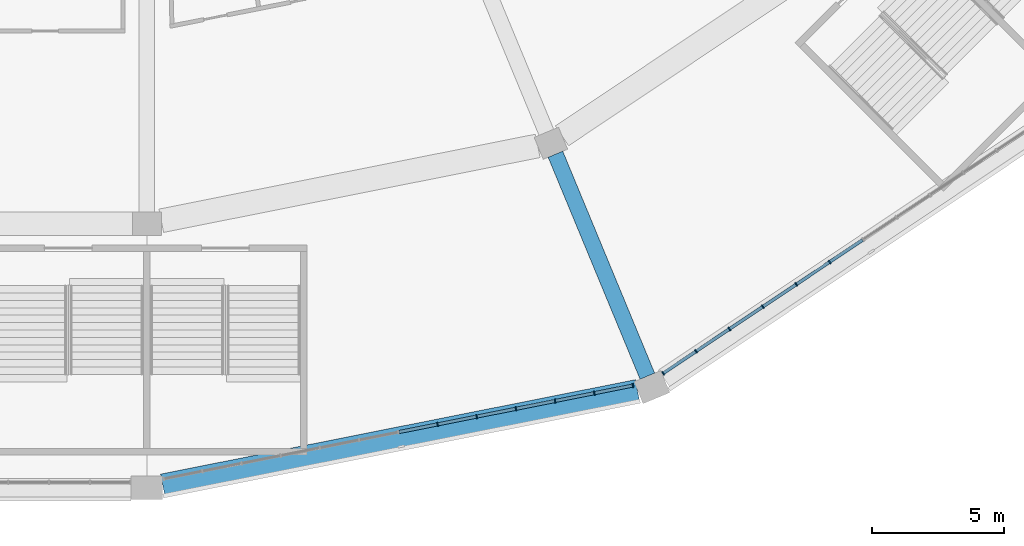
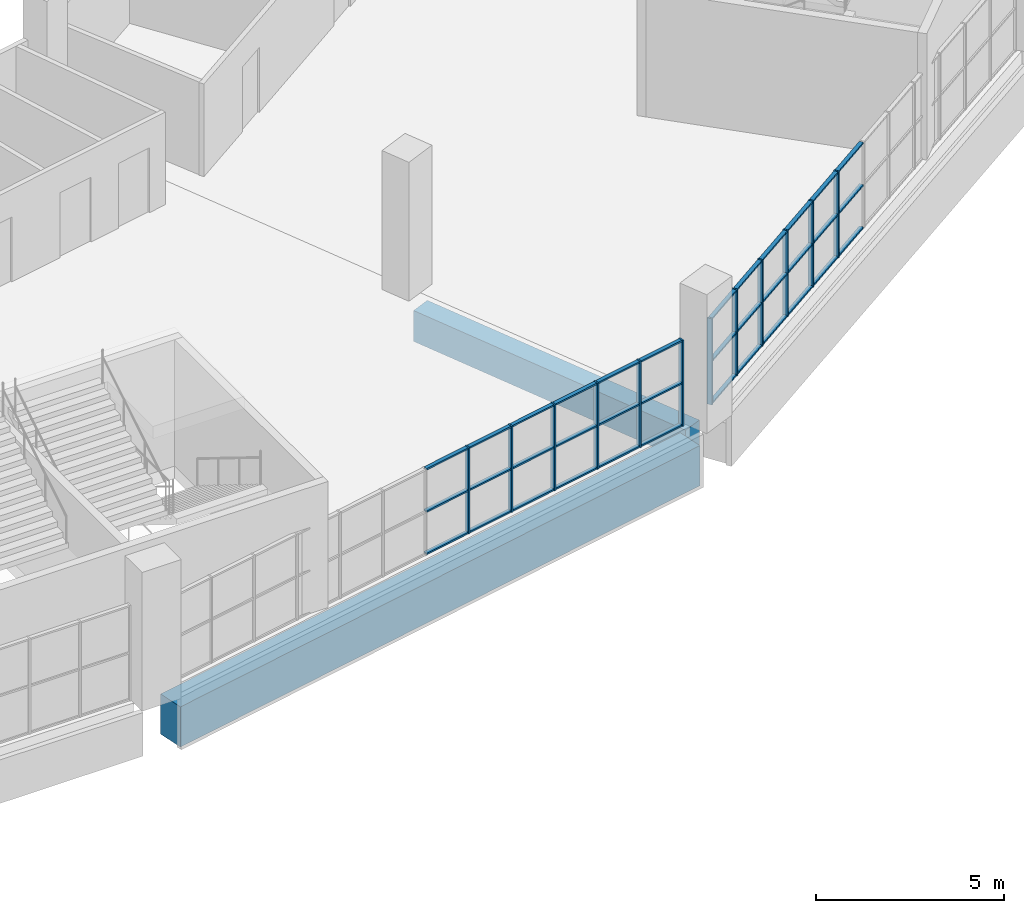
# One storey, part 21 of 199: 48 members, 2 beams, 2 elements without a shape of their own.
"""IFC4 building model written with IfcOpenShell, lengths in metres."""

from ifc_helpers import new_model, si_unit, direction, frame, origin, origin_2d, place, context, subcontext, project, spatial, rectangle, extrude, material, material_profile, profile_set, type_object, element, aggregate, save


model = new_model("IFC4")

# Units and contexts
model_context = context("Model", 3, precision=1e-05, world=origin(), true_north=direction((0.0, 1.0)))
body_context = subcontext(model_context, "Body", "Model", "MODEL_VIEW")
ifc_project = project(units=[si_unit("LENGTHUNIT", "METRE"), si_unit("AREAUNIT", "SQUARE_METRE"), si_unit("VOLUMEUNIT", "CUBIC_METRE"), si_unit("PLANEANGLEUNIT", "RADIAN"), si_unit("MASSUNIT", "GRAM", prefix="KILO")], contexts=[model_context])

# Site, building, storey
site_placement = place(None, origin())
site = spatial("IfcSite", under=ifc_project, at=site_placement, CompositionType="ELEMENT")
building_placement = place(site_placement, origin())
building = spatial("IfcBuilding", under=site, at=building_placement, Name="Ogive Plaza Stadium", CompositionType="ELEMENT")
storey_placement = place(building_placement, frame((0.0, 0.0, 9.0)))
storey = spatial("IfcBuildingStorey", under=building, at=storey_placement, Name="L02", CompositionType="ELEMENT", Elevation=9.0)

# Curtain wall, members
ifc_material_1 = material(Name="Bronze-anodised aluminium with laminated glass", Category="aluminium")
curtain_wall_type = type_object("IfcCurtainWallType", Name="Lancet curtain wall", PredefinedType="NOTDEFINED", material=ifc_material_1)
curtain_wall_1_placement = place(storey_placement, origin())
curtain_wall_1 = element("IfcCurtainWall", 1, at=curtain_wall_1_placement, inside=storey, type_object=curtain_wall_type, Name="CURTAIN WALL B10 L02", PredefinedType="NOTDEFINED")
ifc_material_2 = material(Name="Bronze-anodised aluminium", Category="aluminium")
ifc_material_profile_1 = material_profile(ifc_material_2, rectangle(XDim=0.14990234375, YDim=0.050048828125, at=origin_2d()), Name="AL 150x50")
ifc_profile_set_1 = profile_set([ifc_material_profile_1], Name="Bronze-anodised aluminium")
member_type_1 = type_object("IfcMemberType", Name="Curtain wall mullion 50x150", PredefinedType="MULLION", material=ifc_profile_set_1)
member_1_placement = place(storey_placement, frame((59.867919921875, -93.9541015625, 0.0), z_axis=(0.0, 0.0, 1.0), x_axis=(0.55557023302, -0.831469612303, 0.0)))
member_1 = element("IfcMember", 2, at=member_1_placement, type_object=member_type_1, Name="CW-B10-L02 mullion 8", PredefinedType="MULLION", context=body_context, shape_type="SweptSolid", body=[
    extrude(rectangle(XDim=0.14990234375, YDim=0.050048828125, at=origin_2d()), origin(), (0.0, 0.0, 1.0), 2.7900390625),
])
member_2_placement = place(storey_placement, frame((58.60205078125, -94.7998046875, 0.0), z_axis=(0.0, 0.0, 1.0), x_axis=(0.55557023302, -0.831469612303, 0.0)))
member_2 = element("IfcMember", 3, at=member_2_placement, type_object=member_type_1, Name="CW-B10-L02 mullion 9", PredefinedType="MULLION", context=body_context, shape_type="SweptSolid", body=[
    extrude(rectangle(XDim=0.14990234375, YDim=0.050048828125, at=origin_2d()), origin(), (0.0, 0.0, 1.0), 2.7900390625),
])
member_3_placement = place(storey_placement, frame((57.336181640625, -95.645751953125, 0.0), z_axis=(0.0, 0.0, 1.0), x_axis=(0.55557023302, -0.831469612303, 0.0)))
member_3 = element("IfcMember", 4, at=member_3_placement, type_object=member_type_1, Name="CW-B10-L02 mullion 10", PredefinedType="MULLION", context=body_context, shape_type="SweptSolid", body=[
    extrude(rectangle(XDim=0.14990234375, YDim=0.050048828125, at=origin_2d()), origin(), (0.0, 0.0, 1.0), 2.7900390625),
])
member_4_placement = place(storey_placement, frame((56.070556640625, -96.491455078125, 0.0), z_axis=(0.0, 0.0, 1.0), x_axis=(0.55557023302, -0.831469612303, 0.0)))
member_4 = element("IfcMember", 5, at=member_4_placement, type_object=member_type_1, Name="CW-B10-L02 mullion 11", PredefinedType="MULLION", context=body_context, shape_type="SweptSolid", body=[
    extrude(rectangle(XDim=0.14990234375, YDim=0.050048828125, at=origin_2d()), origin(), (0.0, 0.0, 1.0), 2.7900390625),
])
member_5_placement = place(storey_placement, frame((54.8046875, -97.337158203125, 0.0), z_axis=(0.0, 0.0, 1.0), x_axis=(0.55557023302, -0.831469612303, 0.0)))
member_5 = element("IfcMember", 6, at=member_5_placement, type_object=member_type_1, Name="CW-B10-L02 mullion 12", PredefinedType="MULLION", context=body_context, shape_type="SweptSolid", body=[
    extrude(rectangle(XDim=0.14990234375, YDim=0.050048828125, at=origin_2d()), origin(), (0.0, 0.0, 1.0), 2.7900390625),
])
member_6_placement = place(storey_placement, frame((53.559814453125, -98.169189453125, 0.0), z_axis=(0.0, 0.0, 1.0), x_axis=(0.55557023302, -0.831469612303, 0.0)))
member_6 = element("IfcMember", 7, at=member_6_placement, type_object=member_type_1, Name="CW-B10-L02 mullion 13", PredefinedType="MULLION", context=body_context, shape_type="SweptSolid", body=[
    extrude(rectangle(XDim=0.14990234375, YDim=0.050048828125, at=origin_2d()), origin(), (0.0, 0.0, 1.0), 2.7900390625),
])

curtain_wall_2_placement = place(storey_placement, origin())
curtain_wall_2 = element("IfcCurtainWall", 8, at=curtain_wall_2_placement, inside=storey, type_object=curtain_wall_type, Name="CURTAIN WALL B11 L02", PredefinedType="NOTDEFINED")
member_7_placement = place(storey_placement, frame((52.412109375, -98.6337890625, 0.0), z_axis=(0.0, 0.0, 1.0), x_axis=(0.195090322016, -0.980785280403, 0.0)))
member_7 = element("IfcMember", 9, at=member_7_placement, type_object=member_type_1, Name="CW-B11-L02 mullion 1", PredefinedType="MULLION", context=body_context, shape_type="SweptSolid", body=[
    extrude(rectangle(XDim=0.14990234375, YDim=0.050048828125, at=origin_2d()), origin(), (0.0, 0.0, 1.0), 2.7900390625),
])
member_8_placement = place(storey_placement, frame((50.951904296875, -98.924072265625, 0.0), z_axis=(0.0, 0.0, 1.0), x_axis=(0.195090322016, -0.980785280403, 0.0)))
member_8 = element("IfcMember", 10, at=member_8_placement, type_object=member_type_1, Name="CW-B11-L02 mullion 2", PredefinedType="MULLION", context=body_context, shape_type="SweptSolid", body=[
    extrude(rectangle(XDim=0.14990234375, YDim=0.050048828125, at=origin_2d()), origin(), (0.0, 0.0, 1.0), 2.7900390625),
])
member_9_placement = place(storey_placement, frame((49.467041015625, -99.219482421875, 0.0), z_axis=(0.0, 0.0, 1.0), x_axis=(0.195090322016, -0.980785280403, 0.0)))
member_9 = element("IfcMember", 11, at=member_9_placement, type_object=member_type_1, Name="CW-B11-L02 mullion 3", PredefinedType="MULLION", context=body_context, shape_type="SweptSolid", body=[
    extrude(rectangle(XDim=0.14990234375, YDim=0.050048828125, at=origin_2d()), origin(), (0.0, 0.0, 1.0), 2.7900390625),
])
member_10_placement = place(storey_placement, frame((47.982421875, -99.514892578125, 0.0), z_axis=(0.0, 0.0, 1.0), x_axis=(0.195090322016, -0.980785280403, 0.0)))
member_10 = element("IfcMember", 12, at=member_10_placement, type_object=member_type_1, Name="CW-B11-L02 mullion 4", PredefinedType="MULLION", context=body_context, shape_type="SweptSolid", body=[
    extrude(rectangle(XDim=0.14990234375, YDim=0.050048828125, at=origin_2d()), origin(), (0.0, 0.0, 1.0), 2.7900390625),
])
member_11_placement = place(storey_placement, frame((46.49755859375, -99.81005859375, 0.0), z_axis=(0.0, 0.0, 1.0), x_axis=(0.195090322016, -0.980785280403, 0.0)))
member_11 = element("IfcMember", 13, at=member_11_placement, type_object=member_type_1, Name="CW-B11-L02 mullion 5", PredefinedType="MULLION", context=body_context, shape_type="SweptSolid", body=[
    extrude(rectangle(XDim=0.14990234375, YDim=0.050048828125, at=origin_2d()), origin(), (0.0, 0.0, 1.0), 2.7900390625),
])
member_12_placement = place(storey_placement, frame((45.012939453125, -100.10546875, 0.0), z_axis=(0.0, 0.0, 1.0), x_axis=(0.195090322016, -0.980785280403, 0.0)))
member_12 = element("IfcMember", 14, at=member_12_placement, type_object=member_type_1, Name="CW-B11-L02 mullion 6", PredefinedType="MULLION", context=body_context, shape_type="SweptSolid", body=[
    extrude(rectangle(XDim=0.14990234375, YDim=0.050048828125, at=origin_2d()), origin(), (0.0, 0.0, 1.0), 2.7900390625),
])

# Member
ifc_material_3 = material(Name="Bronze-anodised aluminium", Category="aluminium")
ifc_material_profile_2 = material_profile(ifc_material_3, rectangle(XDim=0.1201171875, YDim=0.050048828125, at=origin_2d()), Name="AL 120x50")
ifc_profile_set_2 = profile_set([ifc_material_profile_2], Name="Bronze-anodised aluminium")
member_type_2 = type_object("IfcMemberType", Name="Curtain wall transom 50x120", PredefinedType="USERDEFINED", material=ifc_profile_set_2)
member_13_placement = place(storey_placement, frame((61.11279296875, -93.122314453125, 0.02490234375), z_axis=(-0.831488586159, -0.555541835587, 0.0), x_axis=(0.555541835587, -0.831488586159, 0.0)))
member_13 = element("IfcMember", 15, at=member_13_placement, type_object=member_type_2, Name="CW-B10-L02 transom 7.1", ObjectType="TRANSOM", PredefinedType="USERDEFINED", context=body_context, shape_type="SweptSolid", body=[
    extrude(rectangle(XDim=0.1201171875, YDim=0.050048828125, at=origin_2d()), origin(), (0.0, 0.0, 1.0), 1.47216796875),
])

member_14_placement = place(storey_placement, frame((61.11279296875, -93.122314453125, 1.39501953125), z_axis=(-0.831488586159, -0.555541835587, 0.0), x_axis=(0.555541835587, -0.831488586159, 0.0)))
member_14 = element("IfcMember", 16, at=member_14_placement, type_object=member_type_2, Name="CW-B10-L02 transom 7.2", ObjectType="TRANSOM", PredefinedType="USERDEFINED", context=body_context, shape_type="SweptSolid", body=[
    extrude(rectangle(XDim=0.1201171875, YDim=0.050048828125, at=origin_2d()), origin(), (0.0, 0.0, 1.0), 1.47216796875),
])

member_15_placement = place(storey_placement, frame((61.11279296875, -93.122314453125, 2.764892578125), z_axis=(-0.831488586159, -0.555541835587, 0.0), x_axis=(0.555541835587, -0.831488586159, 0.0)))
member_15 = element("IfcMember", 17, at=member_15_placement, type_object=member_type_2, Name="CW-B10-L02 transom 7.3", ObjectType="TRANSOM", PredefinedType="USERDEFINED", context=body_context, shape_type="SweptSolid", body=[
    extrude(rectangle(XDim=0.1201171875, YDim=0.050048828125, at=origin_2d()), origin(), (0.0, 0.0, 1.0), 1.47216796875),
])

member_16_placement = place(storey_placement, frame((59.84716796875, -93.968017578125, 0.02490234375), z_axis=(-0.831463168883, -0.555579876157, 0.0), x_axis=(0.555579876157, -0.831463168883, 0.0)))
member_16 = element("IfcMember", 18, at=member_16_placement, type_object=member_type_2, Name="CW-B10-L02 transom 8.1", ObjectType="TRANSOM", PredefinedType="USERDEFINED", context=body_context, shape_type="SweptSolid", body=[
    extrude(rectangle(XDim=0.1201171875, YDim=0.050048828125, at=origin_2d()), origin(), (0.0, 0.0, 1.0), 1.47265625),
])

member_17_placement = place(storey_placement, frame((59.84716796875, -93.968017578125, 1.39501953125), z_axis=(-0.831463168883, -0.555579876157, 0.0), x_axis=(0.555579876157, -0.831463168883, 0.0)))
member_17 = element("IfcMember", 19, at=member_17_placement, type_object=member_type_2, Name="CW-B10-L02 transom 8.2", ObjectType="TRANSOM", PredefinedType="USERDEFINED", context=body_context, shape_type="SweptSolid", body=[
    extrude(rectangle(XDim=0.1201171875, YDim=0.050048828125, at=origin_2d()), origin(), (0.0, 0.0, 1.0), 1.47265625),
])

member_18_placement = place(storey_placement, frame((59.84716796875, -93.968017578125, 2.764892578125), z_axis=(-0.831463168883, -0.555579876157, 0.0), x_axis=(0.555579876157, -0.831463168883, 0.0)))
member_18 = element("IfcMember", 20, at=member_18_placement, type_object=member_type_2, Name="CW-B10-L02 transom 8.3", ObjectType="TRANSOM", PredefinedType="USERDEFINED", context=body_context, shape_type="SweptSolid", body=[
    extrude(rectangle(XDim=0.1201171875, YDim=0.050048828125, at=origin_2d()), origin(), (0.0, 0.0, 1.0), 1.47265625),
])

member_19_placement = place(storey_placement, frame((58.581298828125, -94.813720703125, 0.02490234375), z_axis=(-0.831411982446, -0.555656472512, 0.0), x_axis=(0.555656472512, -0.831411982446, 0.0)))
member_19 = element("IfcMember", 21, at=member_19_placement, type_object=member_type_2, Name="CW-B10-L02 transom 9.1", ObjectType="TRANSOM", PredefinedType="USERDEFINED", context=body_context, shape_type="SweptSolid", body=[
    extrude(rectangle(XDim=0.1201171875, YDim=0.050048828125, at=origin_2d()), origin(), (0.0, 0.0, 1.0), 1.472412109375),
])

member_20_placement = place(storey_placement, frame((58.581298828125, -94.813720703125, 1.39501953125), z_axis=(-0.831411982446, -0.555656472512, 0.0), x_axis=(0.555656472512, -0.831411982446, 0.0)))
member_20 = element("IfcMember", 22, at=member_20_placement, type_object=member_type_2, Name="CW-B10-L02 transom 9.2", ObjectType="TRANSOM", PredefinedType="USERDEFINED", context=body_context, shape_type="SweptSolid", body=[
    extrude(rectangle(XDim=0.1201171875, YDim=0.050048828125, at=origin_2d()), origin(), (0.0, 0.0, 1.0), 1.472412109375),
])

member_21_placement = place(storey_placement, frame((58.581298828125, -94.813720703125, 2.764892578125), z_axis=(-0.831411982446, -0.555656472512, 0.0), x_axis=(0.555656472512, -0.831411982446, 0.0)))
member_21 = element("IfcMember", 23, at=member_21_placement, type_object=member_type_2, Name="CW-B10-L02 transom 9.3", ObjectType="TRANSOM", PredefinedType="USERDEFINED", context=body_context, shape_type="SweptSolid", body=[
    extrude(rectangle(XDim=0.1201171875, YDim=0.050048828125, at=origin_2d()), origin(), (0.0, 0.0, 1.0), 1.472412109375),
])

member_22_placement = place(storey_placement, frame((57.3154296875, -95.65966796875, 0.02490234375), z_axis=(-0.831488586159, -0.555541835587, 0.0), x_axis=(0.555541835587, -0.831488586159, 0.0)))
member_22 = element("IfcMember", 24, at=member_22_placement, type_object=member_type_2, Name="CW-B10-L02 transom 10.1", ObjectType="TRANSOM", PredefinedType="USERDEFINED", context=body_context, shape_type="SweptSolid", body=[
    extrude(rectangle(XDim=0.1201171875, YDim=0.050048828125, at=origin_2d()), origin(), (0.0, 0.0, 1.0), 1.47216796875),
])

member_23_placement = place(storey_placement, frame((57.3154296875, -95.65966796875, 1.39501953125), z_axis=(-0.831488586159, -0.555541835587, 0.0), x_axis=(0.555541835587, -0.831488586159, 0.0)))
member_23 = element("IfcMember", 25, at=member_23_placement, type_object=member_type_2, Name="CW-B10-L02 transom 10.2", ObjectType="TRANSOM", PredefinedType="USERDEFINED", context=body_context, shape_type="SweptSolid", body=[
    extrude(rectangle(XDim=0.1201171875, YDim=0.050048828125, at=origin_2d()), origin(), (0.0, 0.0, 1.0), 1.47216796875),
])

member_24_placement = place(storey_placement, frame((57.3154296875, -95.65966796875, 2.764892578125), z_axis=(-0.831488586159, -0.555541835587, 0.0), x_axis=(0.555541835587, -0.831488586159, 0.0)))
member_24 = element("IfcMember", 26, at=member_24_placement, type_object=member_type_2, Name="CW-B10-L02 transom 10.3", ObjectType="TRANSOM", PredefinedType="USERDEFINED", context=body_context, shape_type="SweptSolid", body=[
    extrude(rectangle(XDim=0.1201171875, YDim=0.050048828125, at=origin_2d()), origin(), (0.0, 0.0, 1.0), 1.47216796875),
])

member_25_placement = place(storey_placement, frame((56.0498046875, -96.50537109375, 0.02490234375), z_axis=(-0.83153975619, -0.555465240925, 0.0), x_axis=(0.555465240925, -0.83153975619, 0.0)))
member_25 = element("IfcMember", 27, at=member_25_placement, type_object=member_type_2, Name="CW-B10-L02 transom 11.1", ObjectType="TRANSOM", PredefinedType="USERDEFINED", context=body_context, shape_type="SweptSolid", body=[
    extrude(rectangle(XDim=0.1201171875, YDim=0.050048828125, at=origin_2d()), origin(), (0.0, 0.0, 1.0), 1.472412109375),
])

member_26_placement = place(storey_placement, frame((56.0498046875, -96.50537109375, 1.39501953125), z_axis=(-0.83153975619, -0.555465240925, 0.0), x_axis=(0.555465240925, -0.83153975619, 0.0)))
member_26 = element("IfcMember", 28, at=member_26_placement, type_object=member_type_2, Name="CW-B10-L02 transom 11.2", ObjectType="TRANSOM", PredefinedType="USERDEFINED", context=body_context, shape_type="SweptSolid", body=[
    extrude(rectangle(XDim=0.1201171875, YDim=0.050048828125, at=origin_2d()), origin(), (0.0, 0.0, 1.0), 1.472412109375),
])

member_27_placement = place(storey_placement, frame((56.0498046875, -96.50537109375, 2.764892578125), z_axis=(-0.83153975619, -0.555465240925, 0.0), x_axis=(0.555465240925, -0.83153975619, 0.0)))
member_27 = element("IfcMember", 29, at=member_27_placement, type_object=member_type_2, Name="CW-B10-L02 transom 11.3", ObjectType="TRANSOM", PredefinedType="USERDEFINED", context=body_context, shape_type="SweptSolid", body=[
    extrude(rectangle(XDim=0.1201171875, YDim=0.050048828125, at=origin_2d()), origin(), (0.0, 0.0, 1.0), 1.472412109375),
])

member_28_placement = place(storey_placement, frame((54.783935546875, -97.35107421875, 0.02490234375), z_axis=(-0.831426948977, -0.555634077892, 0.0), x_axis=(0.555634077892, -0.831426948977, 0.0)))
member_28 = element("IfcMember", 30, at=member_28_placement, type_object=member_type_2, Name="CW-B10-L02 transom 12.1", ObjectType="TRANSOM", PredefinedType="USERDEFINED", context=body_context, shape_type="SweptSolid", body=[
    extrude(rectangle(XDim=0.1201171875, YDim=0.050048828125, at=origin_2d()), origin(), (0.0, 0.0, 1.0), 1.447265625),
])

member_29_placement = place(storey_placement, frame((54.783935546875, -97.35107421875, 1.39501953125), z_axis=(-0.831426948977, -0.555634077892, 0.0), x_axis=(0.555634077892, -0.831426948977, 0.0)))
member_29 = element("IfcMember", 31, at=member_29_placement, type_object=member_type_2, Name="CW-B10-L02 transom 12.2", ObjectType="TRANSOM", PredefinedType="USERDEFINED", context=body_context, shape_type="SweptSolid", body=[
    extrude(rectangle(XDim=0.1201171875, YDim=0.050048828125, at=origin_2d()), origin(), (0.0, 0.0, 1.0), 1.447265625),
])

member_30_placement = place(storey_placement, frame((54.783935546875, -97.35107421875, 2.764892578125), z_axis=(-0.831426948977, -0.555634077892, 0.0), x_axis=(0.555634077892, -0.831426948977, 0.0)))
member_30 = element("IfcMember", 32, at=member_30_placement, type_object=member_type_2, Name="CW-B10-L02 transom 12.3", ObjectType="TRANSOM", PredefinedType="USERDEFINED", context=body_context, shape_type="SweptSolid", body=[
    extrude(rectangle(XDim=0.1201171875, YDim=0.050048828125, at=origin_2d()), origin(), (0.0, 0.0, 1.0), 1.447265625),
])

aggregate(curtain_wall_1, [member_1, member_2, member_3, member_4, member_5, member_6, member_13, member_14, member_15, member_16, member_17, member_18, member_19, member_20, member_21, member_22, member_23, member_24, member_25, member_26, member_27, member_28, member_29, member_30])

member_31_placement = place(storey_placement, frame((52.3876953125, -98.638671875, 0.02490234375), z_axis=(-0.980814888552, -0.194941412722, 0.0), x_axis=(0.194941412722, -0.980814888552, 0.0)))
member_31 = element("IfcMember", 33, at=member_31_placement, type_object=member_type_2, Name="CW-B11-L02 transom 1.1", ObjectType="TRANSOM", PredefinedType="USERDEFINED", context=body_context, shape_type="SweptSolid", body=[
    extrude(rectangle(XDim=0.1201171875, YDim=0.050048828125, at=origin_2d()), origin(), (0.0, 0.0, 1.0), 1.43896484375),
])

member_32_placement = place(storey_placement, frame((52.3876953125, -98.638671875, 1.39501953125), z_axis=(-0.980814888552, -0.194941412722, 0.0), x_axis=(0.194941412722, -0.980814888552, 0.0)))
member_32 = element("IfcMember", 34, at=member_32_placement, type_object=member_type_2, Name="CW-B11-L02 transom 1.2", ObjectType="TRANSOM", PredefinedType="USERDEFINED", context=body_context, shape_type="SweptSolid", body=[
    extrude(rectangle(XDim=0.1201171875, YDim=0.050048828125, at=origin_2d()), origin(), (0.0, 0.0, 1.0), 1.43896484375),
])

member_33_placement = place(storey_placement, frame((52.3876953125, -98.638671875, 2.764892578125), z_axis=(-0.980814888552, -0.194941412722, 0.0), x_axis=(0.194941412722, -0.980814888552, 0.0)))
member_33 = element("IfcMember", 35, at=member_33_placement, type_object=member_type_2, Name="CW-B11-L02 transom 1.3", ObjectType="TRANSOM", PredefinedType="USERDEFINED", context=body_context, shape_type="SweptSolid", body=[
    extrude(rectangle(XDim=0.1201171875, YDim=0.050048828125, at=origin_2d()), origin(), (0.0, 0.0, 1.0), 1.43896484375),
])

member_34_placement = place(storey_placement, frame((50.92724609375, -98.928955078125, 0.02490234375), z_axis=(-0.980772662828, -0.195153744134, 0.0), x_axis=(0.195153744134, -0.980772662828, 0.0)))
member_34 = element("IfcMember", 36, at=member_34_placement, type_object=member_type_2, Name="CW-B11-L02 transom 2.1", ObjectType="TRANSOM", PredefinedType="USERDEFINED", context=body_context, shape_type="SweptSolid", body=[
    extrude(rectangle(XDim=0.1201171875, YDim=0.050048828125, at=origin_2d()), origin(), (0.0, 0.0, 1.0), 1.463623046875),
])

member_35_placement = place(storey_placement, frame((50.92724609375, -98.928955078125, 1.39501953125), z_axis=(-0.980772662828, -0.195153744134, 0.0), x_axis=(0.195153744134, -0.980772662828, 0.0)))
member_35 = element("IfcMember", 37, at=member_35_placement, type_object=member_type_2, Name="CW-B11-L02 transom 2.2", ObjectType="TRANSOM", PredefinedType="USERDEFINED", context=body_context, shape_type="SweptSolid", body=[
    extrude(rectangle(XDim=0.1201171875, YDim=0.050048828125, at=origin_2d()), origin(), (0.0, 0.0, 1.0), 1.463623046875),
])

member_36_placement = place(storey_placement, frame((50.92724609375, -98.928955078125, 2.764892578125), z_axis=(-0.980772662828, -0.195153744134, 0.0), x_axis=(0.195153744134, -0.980772662828, 0.0)))
member_36 = element("IfcMember", 38, at=member_36_placement, type_object=member_type_2, Name="CW-B11-L02 transom 2.3", ObjectType="TRANSOM", PredefinedType="USERDEFINED", context=body_context, shape_type="SweptSolid", body=[
    extrude(rectangle(XDim=0.1201171875, YDim=0.050048828125, at=origin_2d()), origin(), (0.0, 0.0, 1.0), 1.463623046875),
])

member_37_placement = place(storey_placement, frame((49.442626953125, -99.224365234375, 0.02490234375), z_axis=(-0.980779013771, -0.195121823859, 0.0), x_axis=(0.195121823859, -0.980779013771, 0.0)))
member_37 = element("IfcMember", 39, at=member_37_placement, type_object=member_type_2, Name="CW-B11-L02 transom 3.1", ObjectType="TRANSOM", PredefinedType="USERDEFINED", context=body_context, shape_type="SweptSolid", body=[
    extrude(rectangle(XDim=0.1201171875, YDim=0.050048828125, at=origin_2d()), origin(), (0.0, 0.0, 1.0), 1.4638671875),
])

member_38_placement = place(storey_placement, frame((49.442626953125, -99.224365234375, 1.39501953125), z_axis=(-0.980779013771, -0.195121823859, 0.0), x_axis=(0.195121823859, -0.980779013771, 0.0)))
member_38 = element("IfcMember", 40, at=member_38_placement, type_object=member_type_2, Name="CW-B11-L02 transom 3.2", ObjectType="TRANSOM", PredefinedType="USERDEFINED", context=body_context, shape_type="SweptSolid", body=[
    extrude(rectangle(XDim=0.1201171875, YDim=0.050048828125, at=origin_2d()), origin(), (0.0, 0.0, 1.0), 1.4638671875),
])

member_39_placement = place(storey_placement, frame((49.442626953125, -99.224365234375, 2.764892578125), z_axis=(-0.980779013771, -0.195121823859, 0.0), x_axis=(0.195121823859, -0.980779013771, 0.0)))
member_39 = element("IfcMember", 41, at=member_39_placement, type_object=member_type_2, Name="CW-B11-L02 transom 3.3", ObjectType="TRANSOM", PredefinedType="USERDEFINED", context=body_context, shape_type="SweptSolid", body=[
    extrude(rectangle(XDim=0.1201171875, YDim=0.050048828125, at=origin_2d()), origin(), (0.0, 0.0, 1.0), 1.4638671875),
])

member_40_placement = place(storey_placement, frame((47.957763671875, -99.519775390625, 0.02490234375), z_axis=(-0.980804576136, -0.194993290732, 0.0), x_axis=(0.194993290732, -0.980804576136, 0.0)))
member_40 = element("IfcMember", 42, at=member_40_placement, type_object=member_type_2, Name="CW-B11-L02 transom 4.1", ObjectType="TRANSOM", PredefinedType="USERDEFINED", context=body_context, shape_type="SweptSolid", body=[
    extrude(rectangle(XDim=0.1201171875, YDim=0.050048828125, at=origin_2d()), origin(), (0.0, 0.0, 1.0), 1.463623046875),
])

member_41_placement = place(storey_placement, frame((47.957763671875, -99.519775390625, 1.39501953125), z_axis=(-0.980804576136, -0.194993290732, 0.0), x_axis=(0.194993290732, -0.980804576136, 0.0)))
member_41 = element("IfcMember", 43, at=member_41_placement, type_object=member_type_2, Name="CW-B11-L02 transom 4.2", ObjectType="TRANSOM", PredefinedType="USERDEFINED", context=body_context, shape_type="SweptSolid", body=[
    extrude(rectangle(XDim=0.1201171875, YDim=0.050048828125, at=origin_2d()), origin(), (0.0, 0.0, 1.0), 1.463623046875),
])

member_42_placement = place(storey_placement, frame((47.957763671875, -99.519775390625, 2.764892578125), z_axis=(-0.980804576136, -0.194993290732, 0.0), x_axis=(0.194993290732, -0.980804576136, 0.0)))
member_42 = element("IfcMember", 44, at=member_42_placement, type_object=member_type_2, Name="CW-B11-L02 transom 4.3", ObjectType="TRANSOM", PredefinedType="USERDEFINED", context=body_context, shape_type="SweptSolid", body=[
    extrude(rectangle(XDim=0.1201171875, YDim=0.050048828125, at=origin_2d()), origin(), (0.0, 0.0, 1.0), 1.463623046875),
])

member_43_placement = place(storey_placement, frame((46.47314453125, -99.81494140625, 0.02490234375), z_axis=(-0.980779013771, -0.195121823859, 0.0), x_axis=(0.195121823859, -0.980779013771, 0.0)))
member_43 = element("IfcMember", 45, at=member_43_placement, type_object=member_type_2, Name="CW-B11-L02 transom 5.1", ObjectType="TRANSOM", PredefinedType="USERDEFINED", context=body_context, shape_type="SweptSolid", body=[
    extrude(rectangle(XDim=0.1201171875, YDim=0.050048828125, at=origin_2d()), origin(), (0.0, 0.0, 1.0), 1.4638671875),
])

member_44_placement = place(storey_placement, frame((46.47314453125, -99.81494140625, 1.39501953125), z_axis=(-0.980779013771, -0.195121823859, 0.0), x_axis=(0.195121823859, -0.980779013771, 0.0)))
member_44 = element("IfcMember", 46, at=member_44_placement, type_object=member_type_2, Name="CW-B11-L02 transom 5.2", ObjectType="TRANSOM", PredefinedType="USERDEFINED", context=body_context, shape_type="SweptSolid", body=[
    extrude(rectangle(XDim=0.1201171875, YDim=0.050048828125, at=origin_2d()), origin(), (0.0, 0.0, 1.0), 1.4638671875),
])

member_45_placement = place(storey_placement, frame((46.47314453125, -99.81494140625, 2.764892578125), z_axis=(-0.980779013771, -0.195121823859, 0.0), x_axis=(0.195121823859, -0.980779013771, 0.0)))
member_45 = element("IfcMember", 47, at=member_45_placement, type_object=member_type_2, Name="CW-B11-L02 transom 5.3", ObjectType="TRANSOM", PredefinedType="USERDEFINED", context=body_context, shape_type="SweptSolid", body=[
    extrude(rectangle(XDim=0.1201171875, YDim=0.050048828125, at=origin_2d()), origin(), (0.0, 0.0, 1.0), 1.4638671875),
])

member_46_placement = place(storey_placement, frame((44.98828125, -100.1103515625, 0.02490234375), z_axis=(-0.980779013771, -0.195121823859, 0.0), x_axis=(0.195121823859, -0.980779013771, 0.0)))
member_46 = element("IfcMember", 48, at=member_46_placement, type_object=member_type_2, Name="CW-B11-L02 transom 6.1", ObjectType="TRANSOM", PredefinedType="USERDEFINED", context=body_context, shape_type="SweptSolid", body=[
    extrude(rectangle(XDim=0.1201171875, YDim=0.050048828125, at=origin_2d()), origin(), (0.0, 0.0, 1.0), 1.4638671875),
])

member_47_placement = place(storey_placement, frame((44.98828125, -100.1103515625, 1.39501953125), z_axis=(-0.980779013771, -0.195121823859, 0.0), x_axis=(0.195121823859, -0.980779013771, 0.0)))
member_47 = element("IfcMember", 49, at=member_47_placement, type_object=member_type_2, Name="CW-B11-L02 transom 6.2", ObjectType="TRANSOM", PredefinedType="USERDEFINED", context=body_context, shape_type="SweptSolid", body=[
    extrude(rectangle(XDim=0.1201171875, YDim=0.050048828125, at=origin_2d()), origin(), (0.0, 0.0, 1.0), 1.4638671875),
])

member_48_placement = place(storey_placement, frame((44.98828125, -100.1103515625, 2.764892578125), z_axis=(-0.980779013771, -0.195121823859, 0.0), x_axis=(0.195121823859, -0.980779013771, 0.0)))
member_48 = element("IfcMember", 50, at=member_48_placement, type_object=member_type_2, Name="CW-B11-L02 transom 6.3", ObjectType="TRANSOM", PredefinedType="USERDEFINED", context=body_context, shape_type="SweptSolid", body=[
    extrude(rectangle(XDim=0.1201171875, YDim=0.050048828125, at=origin_2d()), origin(), (0.0, 0.0, 1.0), 1.4638671875),
])

aggregate(curtain_wall_2, [member_7, member_8, member_9, member_10, member_11, member_12, member_31, member_32, member_33, member_34, member_35, member_36, member_37, member_38, member_39, member_40, member_41, member_42, member_43, member_44, member_45, member_46, member_47, member_48])

# Beams
ifc_material_4 = material(Name="Concrete C40/50", Category="concrete")
ifc_material_profile_3 = material_profile(ifc_material_4, rectangle(XDim=0.60009765625, YDim=1.0, at=origin_2d()), Name="RC 600x1000")
ifc_profile_set_3 = profile_set([ifc_material_profile_3], Name="Concrete C40/50")
beam_type_1 = type_object("IfcBeamType", Name="RC radial beam 600x1000", PredefinedType="BEAM", material=ifc_profile_set_3)
beam_1_placement = place(storey_placement, frame((49.4794921875, -89.870849609375, -0.909912109375), z_axis=(0.382677193504, -0.923882116707, 0.0), x_axis=(0.923882116707, 0.382677193504, 0.0)))
element("IfcBeam", 51, at=beam_1_placement, inside=storey, type_object=beam_type_1, Name="Radial beam L02 R11 F4F5", PredefinedType="BEAM", context=body_context, shape_type="SweptSolid", body=[
    extrude(rectangle(XDim=0.60009765625, YDim=1.0, at=origin_2d()), origin(), (0.0, 0.0, 1.0), 9.10009765625),
])
ifc_material_5 = material(Name="Concrete C40/50", Category="concrete")
ifc_material_profile_4 = material_profile(ifc_material_5, rectangle(XDim=0.800048828125, YDim=1.300048828125, at=origin_2d()), Name="RC 800x1300")
ifc_profile_set_4 = profile_set([ifc_material_profile_4], Name="Concrete C40/50")
beam_type_2 = type_object("IfcBeamType", Name="RC spandrel beam 800x1300", PredefinedType="SPANDREL", material=ifc_profile_set_4)
beam_2_placement = place(storey_placement, frame((52.584228515625, -98.803466796875, -1.06005859375), z_axis=(-0.980786507619, -0.195084152283, 0.0), x_axis=(0.195084152283, -0.980786507619, 0.0)))
element("IfcBeam", 52, at=beam_2_placement, inside=storey, type_object=beam_type_2, Name="Ring beam F5 L02 B11", PredefinedType="SPANDREL", context=body_context, shape_type="SweptSolid", body=[
    extrude(rectangle(XDim=0.800048828125, YDim=1.300048828125, at=origin_2d()), origin(), (0.0, 0.0, 1.0), 18.33642578125),
])

save(model, "model.ifc")
